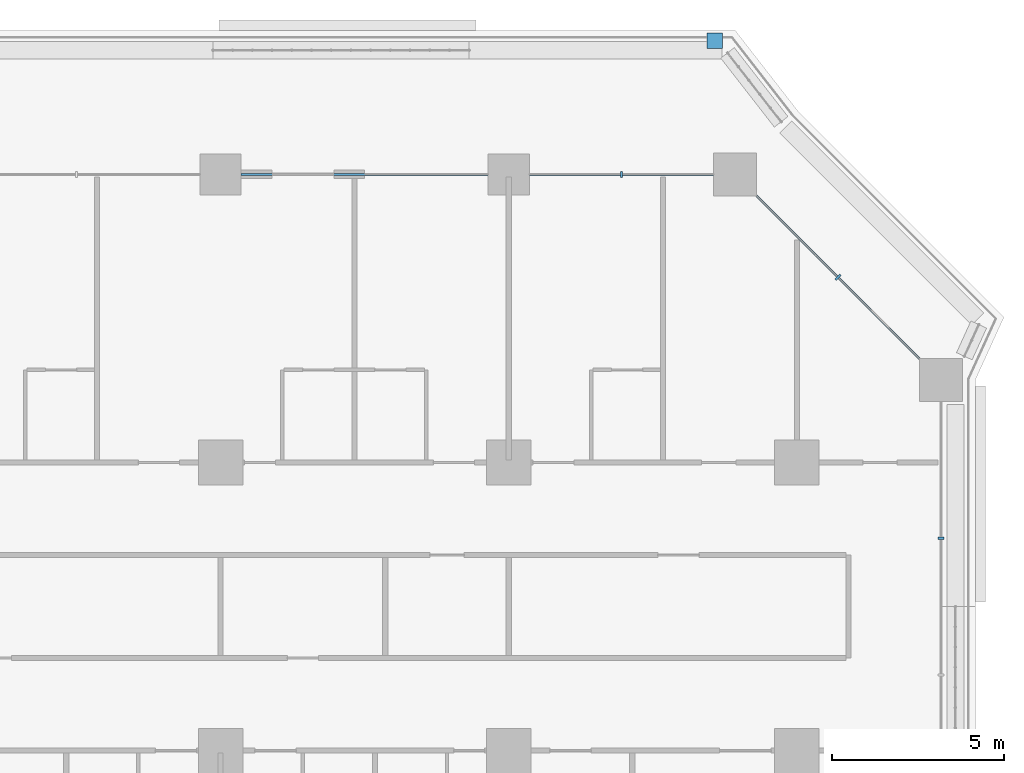
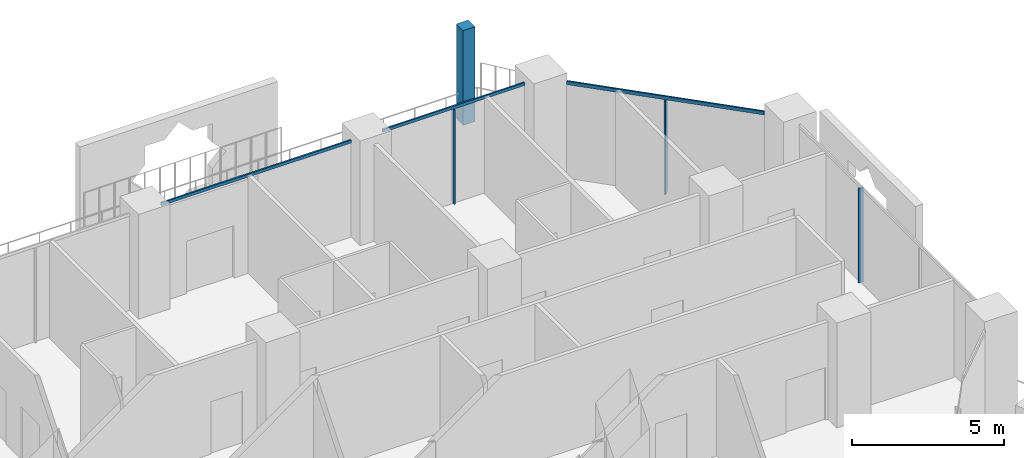
# One storey, part 10 of 28: 7 members, 4 elements without a shape of their own.
"""IFC4 building model written with IfcOpenShell, lengths in metres."""

from ifc_helpers import new_model, si_unit, direction, frame, origin, origin_2d, place, context, subcontext, project, spatial, rectangle, extrude, material, layer, layer_set, material_profile, profile_set, type_object, element, aggregate, save


model = new_model("IFC4")

# Units and contexts
model_context = context("Model", 3, precision=1e-05, world=origin(), true_north=direction((0.0, 1.0)))
body_context = subcontext(model_context, "Body", "Model", "MODEL_VIEW")
ifc_project = project(units=[si_unit("LENGTHUNIT", "METRE"), si_unit("AREAUNIT", "SQUARE_METRE"), si_unit("VOLUMEUNIT", "CUBIC_METRE"), si_unit("PLANEANGLEUNIT", "RADIAN"), si_unit("MASSUNIT", "GRAM", prefix="KILO")], contexts=[model_context])

# Site, building, storey
site_placement = place(None, origin())
site = spatial("IfcSite", under=ifc_project, at=site_placement, CompositionType="ELEMENT")
building_placement = place(site_placement, origin())
building = spatial("IfcBuilding", under=site, at=building_placement, Name="Kawkab Arch Medical Tower", CompositionType="ELEMENT")
storey_placement = place(building_placement, frame((0.0, 0.0, 56.0)))
storey = spatial("IfcBuildingStorey", under=building, at=storey_placement, Name="L12", CompositionType="ELEMENT", Elevation=56.0)

# Curtain wall, member
ifc_material_1 = material(Name="Bronze anodised aluminium curtain wall frame", Category="aluminium")
ifc_layer_1 = layer(ifc_material_1, 0.159912109375)
ifc_layer_set_1 = layer_set([ifc_layer_1], Name="Bronze anodised aluminium curtain wall frame")
curtain_wall_type_1 = type_object("IfcCurtainWallType", Name="CW1 ward curtain wall", PredefinedType="NOTDEFINED", material=ifc_layer_set_1)
placement = place(storey_placement, origin())
curtain_wall_1 = element("IfcCurtainWall", 1, at=placement, inside=storey, type_object=curtain_wall_type_1, Name="CW1 Ward curtain wall R09", PredefinedType="NOTDEFINED")
ifc_material_2 = material(Name="Bronze anodised aluminium curtain wall frame", Category="aluminium")
ifc_material_profile_1 = material_profile(ifc_material_2, rectangle(XDim=0.179931640625, YDim=0.06005859375, at=origin_2d()), Name="AL 60x180")
ifc_profile_set_1 = profile_set([ifc_material_profile_1], Name="Bronze anodised aluminium curtain wall frame")
member_type_1 = type_object("IfcMemberType", Name="CW1 mullion 60 x 180", PredefinedType="MULLION", material=ifc_profile_set_1)
member_1_placement = place(storey_placement, frame((79.800048828125, -10.6083984375, 0.0), z_axis=(0.0, 0.0, 1.0), x_axis=(-1.0, 0.0, 0.0)))
member_1 = element("IfcMember", 2, at=member_1_placement, type_object=member_type_1, Name="CW1 mullion 1.2", PredefinedType="MULLION", context=body_context, shape_type="SweptSolid", body=[
    extrude(rectangle(XDim=0.179931640625, YDim=0.06005859375, at=origin_2d()), origin(), (0.0, 0.0, 1.0), 3.780029296875),
])
aggregate(curtain_wall_1, [member_1])

# Curtain wall, members
curtain_wall_2 = element("IfcCurtainWall", 3, at=placement, inside=storey, type_object=curtain_wall_type_1, Name="CW1 Ward curtain wall R11", PredefinedType="NOTDEFINED")
member_2_placement = place(storey_placement, frame((70.487548828125, 0.0, 0.0), z_axis=(0.0, 0.0, 1.0), x_axis=(0.0, -1.0, 0.0)))
member_2 = element("IfcMember", 4, at=member_2_placement, type_object=member_type_1, Name="CW1 mullion 1.1", PredefinedType="MULLION", context=body_context, shape_type="SweptSolid", body=[
    extrude(rectangle(XDim=0.179931640625, YDim=0.06005859375, at=origin_2d()), origin(), (0.0, 0.0, 1.0), 3.780029296875),
])
ifc_material_3 = material(Name="Bronze anodised aluminium curtain wall frame", Category="aluminium")
ifc_material_profile_2 = material_profile(ifc_material_3, rectangle(XDim=0.06005859375, YDim=0.1201171875, at=origin_2d()), Name="AL 60x120")
ifc_profile_set_2 = profile_set([ifc_material_profile_2], Name="Bronze anodised aluminium curtain wall frame")
member_type_2 = type_object("IfcMemberType", Name="CW1 transom 120 x 60", PredefinedType="USERDEFINED", material=ifc_profile_set_2)
member_3_placement = place(storey_placement, frame((73.175048828125, 0.0, 3.840087890625), z_axis=(-1.0, 0.0, 0.0), x_axis=(0.0, -1.0, 0.0)))
member_3 = element("IfcMember", 5, at=member_3_placement, type_object=member_type_2, Name="CW1 transom 1", ObjectType="TRANSOM", PredefinedType="USERDEFINED", context=body_context, shape_type="SweptSolid", body=[
    extrude(rectangle(XDim=0.06005859375, YDim=0.1201171875, at=origin_2d()), origin(), (0.0, 0.0, 1.0), 5.375),
])
member_4_placement = place(storey_placement, frame((66.60009765625, 0.0, 3.840087890625), z_axis=(-1.0, 0.0, 0.0), x_axis=(0.0, -1.0, 0.0)))
member_4 = element("IfcMember", 6, at=member_4_placement, type_object=member_type_2, Name="CW1 transom 2", ObjectType="TRANSOM", PredefinedType="USERDEFINED", context=body_context, shape_type="SweptSolid", body=[
    extrude(rectangle(XDim=0.06005859375, YDim=0.1201171875, at=origin_2d()), origin(), (0.0, 0.0, 1.0), 7.2001953125),
])
aggregate(curtain_wall_2, [member_3, member_2, member_4])

ifc_material_4 = material(Name="Bronze anodised aluminium curtain wall frame", Category="aluminium")
ifc_layer_2 = layer(ifc_material_4, 0.159912109375)
ifc_layer_set_2 = layer_set([ifc_layer_2], Name="Bronze anodised aluminium curtain wall frame")
curtain_wall_type_2 = type_object("IfcCurtainWallType", Name="CW2 chamfer curtain wall", PredefinedType="NOTDEFINED", material=ifc_layer_set_2)
curtain_wall_3 = element("IfcCurtainWall", 7, at=placement, inside=storey, type_object=curtain_wall_type_2, Name="CW2 Chamfer curtain wall R10", PredefinedType="NOTDEFINED")
ifc_material_5 = material(Name="Bronze anodised aluminium curtain wall frame", Category="aluminium")
ifc_material_profile_3 = material_profile(ifc_material_5, rectangle(XDim=0.199951171875, YDim=0.06005859375, at=origin_2d()), Name="AL 60x200")
ifc_profile_set_3 = profile_set([ifc_material_profile_3], Name="Bronze anodised aluminium curtain wall frame")
member_type_3 = type_object("IfcMemberType", Name="CW2 mullion 60 x 200", PredefinedType="MULLION", material=ifc_profile_set_3)
member_5_placement = place(storey_placement, frame((76.800048828125, -3.0, 0.0), z_axis=(0.0, 0.0, 1.0), x_axis=(-0.707106781187, -0.707106781187, 0.0)))
member_5 = element("IfcMember", 8, at=member_5_placement, type_object=member_type_3, Name="CW2 mullion 1.1", PredefinedType="MULLION", context=body_context, shape_type="SweptSolid", body=[
    extrude(rectangle(XDim=0.199951171875, YDim=0.06005859375, at=origin_2d()), origin(), (0.0, 0.0, 1.0), 3.760009765625),
])
ifc_material_6 = material(Name="Bronze anodised aluminium curtain wall frame", Category="aluminium")
ifc_material_profile_4 = material_profile(ifc_material_6, rectangle(XDim=0.06005859375, YDim=0.139892578125, at=origin_2d()), Name="AL 60x140")
ifc_profile_set_4 = profile_set([ifc_material_profile_4], Name="Bronze anodised aluminium curtain wall frame")
member_type_4 = type_object("IfcMemberType", Name="CW2 transom 140 x 60", PredefinedType="USERDEFINED", material=ifc_profile_set_4)
member_6_placement = place(storey_placement, frame((79.175048828125, -5.375, 3.830078125), z_axis=(-0.707106781187, 0.707106781187, 0.0), x_axis=(-0.707106781187, -0.707106781187, 0.0)))
member_6 = element("IfcMember", 9, at=member_6_placement, type_object=member_type_4, Name="CW2 transom 1", ObjectType="TRANSOM", PredefinedType="USERDEFINED", context=body_context, shape_type="SweptSolid", body=[
    extrude(rectangle(XDim=0.06005859375, YDim=0.139892578125, at=origin_2d()), origin(), (0.0, 0.0, 1.0), 6.717529296875),
])
aggregate(curtain_wall_3, [member_6, member_5])

# Curtain wall, member
ifc_material_7 = material(Name="Bronze anodised aluminium climber frame, planted", Category="aluminium")
ifc_layer_3 = layer(ifc_material_7, 0.449951171875)
ifc_layer_set_3 = layer_set([ifc_layer_3], Name="Bronze anodised aluminium climber frame, planted")
curtain_wall_type_3 = type_object("IfcCurtainWallType", Name="Planted climber frame", PredefinedType="NOTDEFINED", material=ifc_layer_set_3)
curtain_wall_4 = element("IfcCurtainWall", 10, at=placement, inside=storey, type_object=curtain_wall_type_3, Name="Planted climber frame L12", PredefinedType="NOTDEFINED")
ifc_material_8 = material(Name="Bronze anodised aluminium climber frame, planted", Category="aluminium")
ifc_material_profile_5 = material_profile(ifc_material_8, rectangle(XDim=0.449951171875, YDim=0.449951171875, at=origin_2d()), Name="Post 450x450")
ifc_profile_set_5 = profile_set([ifc_material_profile_5], Name="Bronze anodised aluminium climber frame, planted")
member_type_5 = type_object("IfcMemberType", Name="Planted climber post 450 x 450", PredefinedType="MULLION", material=ifc_profile_set_5)
member_7_placement = place(storey_placement, frame((73.202880859375, 3.89990234375, 0.0), z_axis=(0.0, 0.0, 1.0), x_axis=(1.0, 0.0, 0.0)))
member_7 = element("IfcMember", 11, at=member_7_placement, type_object=member_type_5, Name="Planted climber post L12.LOG-01-01.4", PredefinedType="MULLION", context=body_context, shape_type="SweptSolid", body=[
    extrude(rectangle(XDim=0.449951171875, YDim=0.449951171875, at=origin_2d()), origin(), (0.0, 0.0, 1.0), 3.800048828125),
])
aggregate(curtain_wall_4, [member_7])

save(model, "model.ifc")
